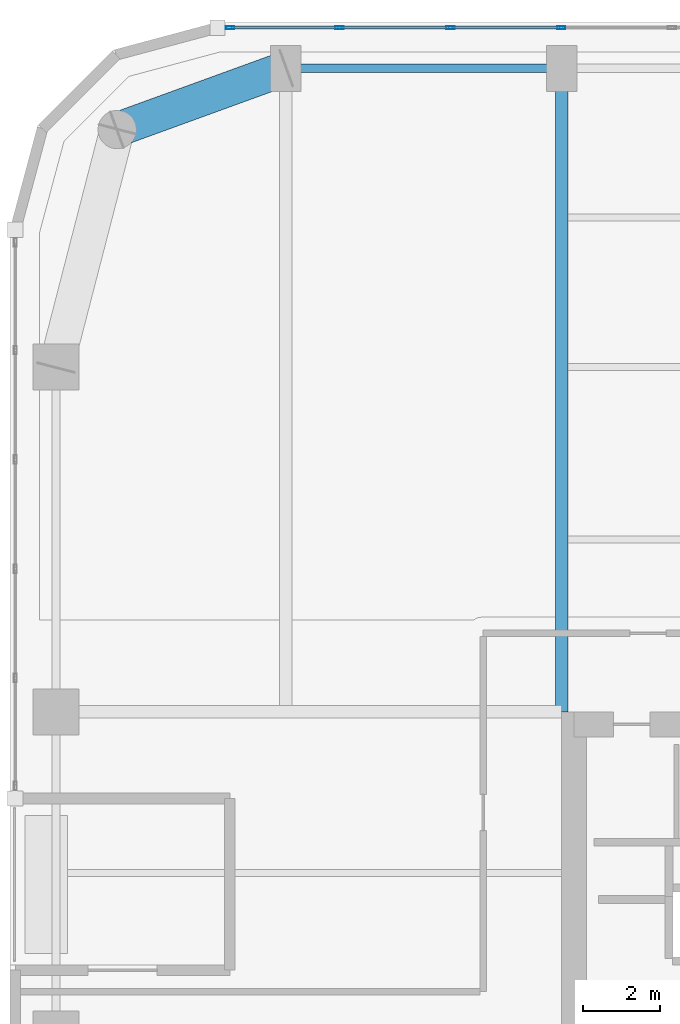
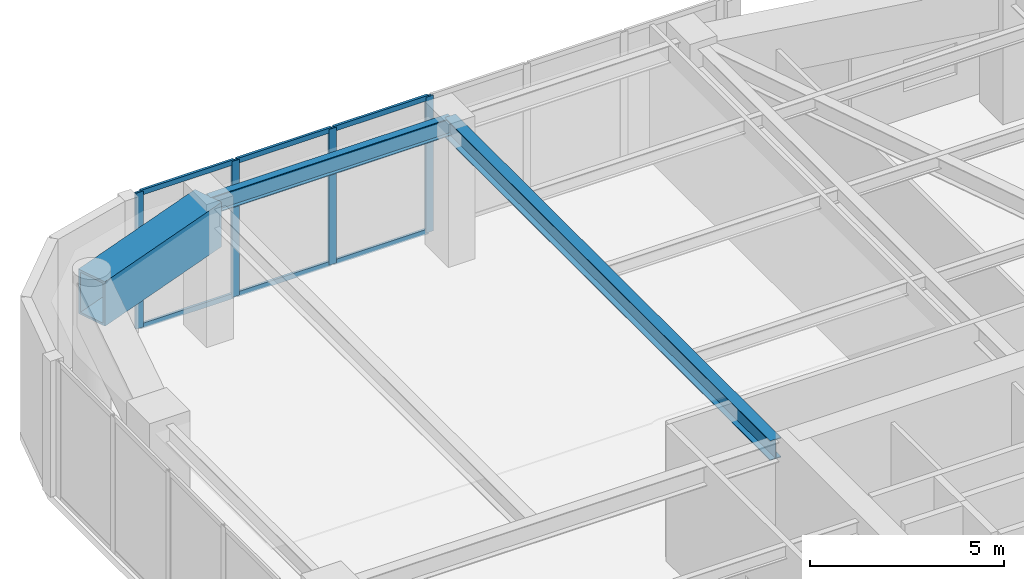
# One storey, part 8 of 21: 10 members, 3 beams, 1 element without a shape of its own.
"""IFC4 building model written with IfcOpenShell, lengths in metres."""

from ifc_helpers import new_model, si_unit, direction, frame, origin, origin_2d, place, context, subcontext, project, spatial, hollow_rectangle, i_section, extrude, material, layer, layer_set, material_profile, profile_set, type_object, element, aggregate, save


model = new_model("IFC4")

# Units and contexts
model_context = context("Model", 3, precision=1e-05, world=origin(), true_north=direction((0.0, 1.0)))
body_context = subcontext(model_context, "Body", "Model", "MODEL_VIEW")
ifc_project = project(units=[si_unit("LENGTHUNIT", "METRE"), si_unit("AREAUNIT", "SQUARE_METRE"), si_unit("VOLUMEUNIT", "CUBIC_METRE"), si_unit("PLANEANGLEUNIT", "RADIAN"), si_unit("MASSUNIT", "GRAM", prefix="KILO")], contexts=[model_context])

# Site, building, storey
site_placement = place(None, origin())
site = spatial("IfcSite", under=ifc_project, at=site_placement, CompositionType="ELEMENT")
building_placement = place(site_placement, origin())
building = spatial("IfcBuilding", under=site, at=building_placement, Name="Kiyonajd Concourse Tower", CompositionType="ELEMENT")
storey_placement = place(building_placement, frame((0.0, 0.0, 181.800048828125)))
storey = spatial("IfcBuildingStorey", under=building, at=storey_placement, Name="L46", CompositionType="ELEMENT", Elevation=181.800048828125)

# Beams
ifc_material_1 = material(Name="Steel ASTM A992 Grade 50", Category="steel")
ifc_material_profile_1 = material_profile(ifc_material_1, i_section(OverallWidth=0.214111328125, OverallDepth=0.549072265625, WebThickness=0.0146484375, FlangeThickness=0.023681640625, at=origin_2d()), Name="W530X138")
ifc_profile_set_1 = profile_set([ifc_material_profile_1], Name="Steel ASTM A992 Grade 50")
beam_type_1 = type_object("IfcBeamType", Name="BM-SPAN-530A", PredefinedType="SPANDREL", material=ifc_profile_set_1)
beam_1_placement = place(storey_placement, frame((32.39990234375, 61.199951171875, 4.00537109375), z_axis=(-1.0, 0.0, 0.0), x_axis=(0.0, -1.0, 0.0)))
element("IfcBeam", 1, at=beam_1_placement, inside=storey, type_object=beam_type_1, Name="L46 Perimeter Bundled Tube Spandrel", PredefinedType="SPANDREL", context=body_context, shape_type="SweptSolid", body=[
    extrude(i_section(OverallWidth=0.214111328125, OverallDepth=0.549072265625, WebThickness=0.0146484375, FlangeThickness=0.023681640625, at=origin_2d()), origin(), (0.0, 0.0, 1.0), 7.199951171875),
])
ifc_material_profile_2 = material_profile(ifc_material_1, i_section(OverallWidth=0.326904296875, OverallDepth=0.6220703125, WebThickness=0.015380859375, FlangeThickness=0.0244140625, at=origin_2d()), Name="W610X195")
ifc_profile_set_2 = profile_set([ifc_material_profile_2], Name="Steel ASTM A992 Grade 50")
beam_type_2 = type_object("IfcBeamType", Name="BM-TWR-610A", PredefinedType="BEAM", material=ifc_profile_set_2)
beam_2_placement = place(storey_placement, frame((32.39990234375, 44.39990234375, 3.968994140625), z_axis=(0.0, 1.0, 0.0), x_axis=(-1.0, 0.0, 0.0)))
element("IfcBeam", 2, at=beam_2_placement, inside=storey, type_object=beam_type_2, Name="L46 North Lease Girder", PredefinedType="BEAM", context=body_context, shape_type="SweptSolid", body=[
    extrude(i_section(OverallWidth=0.326904296875, OverallDepth=0.6220703125, WebThickness=0.015380859375, FlangeThickness=0.0244140625, at=origin_2d()), origin(), (0.0, 0.0, 1.0), 16.800048828125),
])
ifc_material_2 = material(Name="Steel ASTM A572 Grade 50", Category="steel")
ifc_material_profile_3 = material_profile(ifc_material_2, hollow_rectangle(XDim=0.89990234375, YDim=1.39990234375, WallThickness=0.070068359375, at=origin_2d()), Name="BOX-1400x900x70")
ifc_profile_set_3 = profile_set([ifc_material_profile_3], Name="Steel ASTM A572 Grade 50")
beam_type_3 = type_object("IfcBeamType", Name="BM-XFER-1400", PredefinedType="BEAM", material=ifc_profile_set_3)
beam_3_placement = place(storey_placement, frame((25.199951171875, 61.199951171875, 3.579833984375), z_axis=(-0.939801036019, -0.341722127901, 0.0), x_axis=(0.341722127901, -0.939801036019, 0.0)))
element("IfcBeam", 3, at=beam_3_placement, inside=storey, type_object=beam_type_3, Name="L46 Perimeter Bundled Tube Spandrel", PredefinedType="BEAM", context=body_context, shape_type="SweptSolid", body=[
    extrude(hollow_rectangle(XDim=0.89990234375, YDim=1.39990234375, WallThickness=0.070068359375, at=origin_2d()), origin(), (0.0, 0.0, 1.0), 4.681640625),
])

# Curtain wall, members
ifc_material_3 = material(Name="Thermally Broken Anodised Aluminium", Category="aluminium")
ifc_layer = layer(ifc_material_3, 0.179931640625)
ifc_layer_set = layer_set([ifc_layer], Name="Thermally Broken Anodised Aluminium")
curtain_wall_type = type_object("IfcCurtainWallType", Name="CW-SYS-05", PredefinedType="NOTDEFINED", material=ifc_layer_set)
curtain_wall_placement = place(storey_placement, origin())
curtain_wall = element("IfcCurtainWall", 4, at=curtain_wall_placement, inside=storey, type_object=curtain_wall_type, Name="L46 Unitised Curtain Wall CW5", PredefinedType="NOTDEFINED")
ifc_material_profile_4 = material_profile(ifc_material_3, hollow_rectangle(XDim=0.074951171875, YDim=0.219970703125, WallThickness=0.0048828125, at=origin_2d()), Name="MULL-75x220")
ifc_profile_set_4 = profile_set([ifc_material_profile_4], Name="Thermally Broken Anodised Aluminium")
member_type_1 = type_object("IfcMemberType", Name="MB-CW-MULL2", PredefinedType="MULLION", material=ifc_profile_set_4)
member_1_placement = place(storey_placement, frame((23.745849609375, 62.260009765625, 0.0), z_axis=(0.0, 0.0, 1.0), x_axis=(0.0, 1.0, 0.0)))
member_1 = element("IfcMember", 5, at=member_1_placement, type_object=member_type_1, Name="CW5 mullion 1", PredefinedType="MULLION", context=body_context, shape_type="SweptSolid", body=[
    extrude(hollow_rectangle(XDim=0.074951171875, YDim=0.219970703125, WallThickness=0.0048828125, at=origin_2d()), origin(), (0.0, 0.0, 1.0), 4.280029296875),
])
member_2_placement = place(storey_placement, frame((26.60205078125, 62.260009765625, 0.0), z_axis=(0.0, 0.0, 1.0), x_axis=(0.0, 1.0, 0.0)))
member_2 = element("IfcMember", 6, at=member_2_placement, type_object=member_type_1, Name="CW5 mullion 2", PredefinedType="MULLION", context=body_context, shape_type="SweptSolid", body=[
    extrude(hollow_rectangle(XDim=0.074951171875, YDim=0.219970703125, WallThickness=0.0048828125, at=origin_2d()), origin(), (0.0, 0.0, 1.0), 4.280029296875),
])
member_3_placement = place(storey_placement, frame((29.495849609375, 62.260009765625, 0.0), z_axis=(0.0, 0.0, 1.0), x_axis=(0.0, 1.0, 0.0)))
member_3 = element("IfcMember", 7, at=member_3_placement, type_object=member_type_1, Name="CW5 mullion 3", PredefinedType="MULLION", context=body_context, shape_type="SweptSolid", body=[
    extrude(hollow_rectangle(XDim=0.074951171875, YDim=0.219970703125, WallThickness=0.0048828125, at=origin_2d()), origin(), (0.0, 0.0, 1.0), 4.280029296875),
])
member_4_placement = place(storey_placement, frame((32.389404296875, 62.260009765625, 0.0), z_axis=(0.0, 0.0, 1.0), x_axis=(0.0, 1.0, 0.0)))
member_4 = element("IfcMember", 8, at=member_4_placement, type_object=member_type_1, Name="CW5 mullion 4", PredefinedType="MULLION", context=body_context, shape_type="SweptSolid", body=[
    extrude(hollow_rectangle(XDim=0.074951171875, YDim=0.219970703125, WallThickness=0.0048828125, at=origin_2d()), origin(), (0.0, 0.0, 1.0), 4.280029296875),
])
ifc_material_profile_5 = material_profile(ifc_material_3, hollow_rectangle(XDim=0.074951171875, YDim=0.159912109375, WallThickness=0.0048828125, at=origin_2d()), Name="TRAN-75x160")
ifc_profile_set_5 = profile_set([ifc_material_profile_5], Name="Thermally Broken Anodised Aluminium")
member_type_2 = type_object("IfcMemberType", Name="MB-CW-TRAN2", PredefinedType="USERDEFINED", material=ifc_profile_set_5)
member_5_placement = place(storey_placement, frame((23.783447265625, 62.260009765625, 0.037353515625), z_axis=(1.0, 0.0, 0.0), x_axis=(0.0, 1.0, 0.0)))
member_5 = element("IfcMember", 9, at=member_5_placement, type_object=member_type_2, Name="CW5 transom 1.1", ObjectType="TRANSOM", PredefinedType="USERDEFINED", context=body_context, shape_type="SweptSolid", body=[
    extrude(hollow_rectangle(XDim=0.074951171875, YDim=0.159912109375, WallThickness=0.0048828125, at=origin_2d()), origin(), (0.0, 0.0, 1.0), 2.781005859375),
])
member_6_placement = place(storey_placement, frame((23.783447265625, 62.260009765625, 4.242431640625), z_axis=(1.0, 0.0, 0.0), x_axis=(0.0, 1.0, 0.0)))
member_6 = element("IfcMember", 10, at=member_6_placement, type_object=member_type_2, Name="CW5 transom 1.2", ObjectType="TRANSOM", PredefinedType="USERDEFINED", context=body_context, shape_type="SweptSolid", body=[
    extrude(hollow_rectangle(XDim=0.074951171875, YDim=0.159912109375, WallThickness=0.0048828125, at=origin_2d()), origin(), (0.0, 0.0, 1.0), 2.781005859375),
])
member_7_placement = place(storey_placement, frame((26.6396484375, 62.260009765625, 0.037353515625), z_axis=(1.0, 0.0, 0.0), x_axis=(0.0, 1.0, 0.0)))
member_7 = element("IfcMember", 11, at=member_7_placement, type_object=member_type_2, Name="CW5 transom 2.1", ObjectType="TRANSOM", PredefinedType="USERDEFINED", context=body_context, shape_type="SweptSolid", body=[
    extrude(hollow_rectangle(XDim=0.074951171875, YDim=0.159912109375, WallThickness=0.0048828125, at=origin_2d()), origin(), (0.0, 0.0, 1.0), 2.818603515625),
])
member_8_placement = place(storey_placement, frame((26.6396484375, 62.260009765625, 4.242431640625), z_axis=(1.0, 0.0, 0.0), x_axis=(0.0, 1.0, 0.0)))
member_8 = element("IfcMember", 12, at=member_8_placement, type_object=member_type_2, Name="CW5 transom 2.2", ObjectType="TRANSOM", PredefinedType="USERDEFINED", context=body_context, shape_type="SweptSolid", body=[
    extrude(hollow_rectangle(XDim=0.074951171875, YDim=0.159912109375, WallThickness=0.0048828125, at=origin_2d()), origin(), (0.0, 0.0, 1.0), 2.818603515625),
])
member_9_placement = place(storey_placement, frame((29.533203125, 62.260009765625, 0.037353515625), z_axis=(1.0, 0.0, 0.0), x_axis=(0.0, 1.0, 0.0)))
member_9 = element("IfcMember", 13, at=member_9_placement, type_object=member_type_2, Name="CW5 transom 3.1", ObjectType="TRANSOM", PredefinedType="USERDEFINED", context=body_context, shape_type="SweptSolid", body=[
    extrude(hollow_rectangle(XDim=0.074951171875, YDim=0.159912109375, WallThickness=0.0048828125, at=origin_2d()), origin(), (0.0, 0.0, 1.0), 2.818603515625),
])
member_10_placement = place(storey_placement, frame((29.533203125, 62.260009765625, 4.242431640625), z_axis=(1.0, 0.0, 0.0), x_axis=(0.0, 1.0, 0.0)))
member_10 = element("IfcMember", 14, at=member_10_placement, type_object=member_type_2, Name="CW5 transom 3.2", ObjectType="TRANSOM", PredefinedType="USERDEFINED", context=body_context, shape_type="SweptSolid", body=[
    extrude(hollow_rectangle(XDim=0.074951171875, YDim=0.159912109375, WallThickness=0.0048828125, at=origin_2d()), origin(), (0.0, 0.0, 1.0), 2.818603515625),
])
aggregate(curtain_wall, [member_1, member_2, member_3, member_4, member_5, member_6, member_7, member_8, member_9, member_10])

save(model, "model.ifc")
